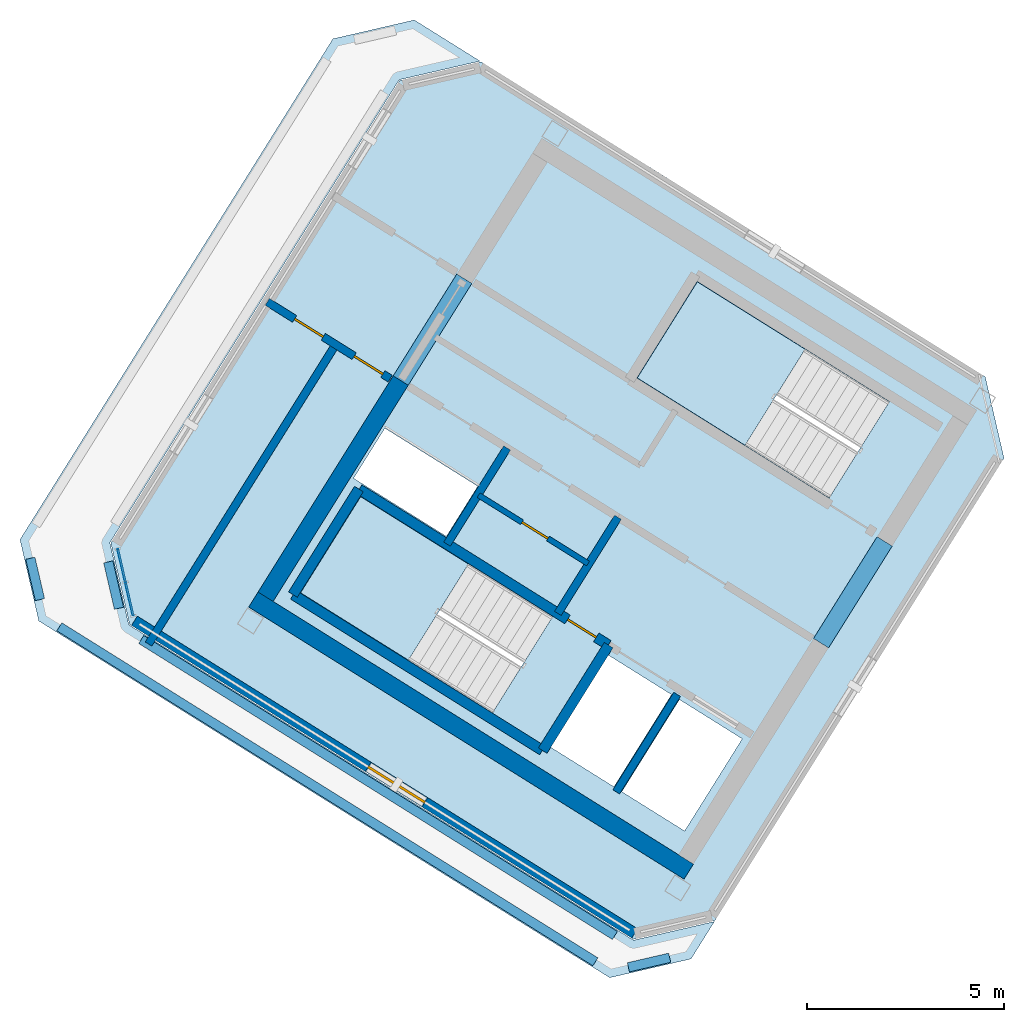
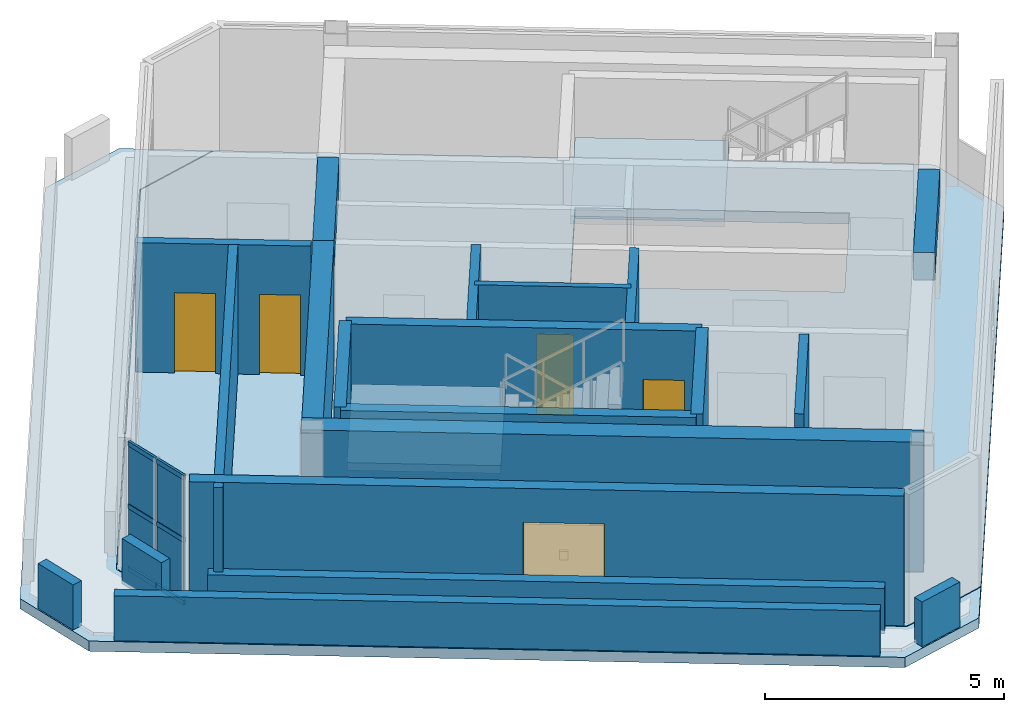
# One storey, part 3 of 6: 18 walls, 6 members, 4 doors, 4 plates, 4 slabs, 2 beams, 1 window, 5 openings, 3 elements without a shape of their own.
"""IFC4 building model written with IfcOpenShell, lengths in metres."""

from ifc_helpers import new_model, si_unit, direction, frame, frame_2d, origin, origin_2d, place, context, subcontext, project, spatial, polyline, rectangle, hollow_rectangle, outline, extrude, source, transform, mapped, material, layer, layer_set, material_profile, profile_set, type_object, element, fill, aggregate, save


model = new_model("IFC4")

# Units and contexts
model_context = context("Model", 3, precision=1e-05, world=origin(), true_north=direction((0.0, 1.0)))
body_context = subcontext(model_context, "Body", "Model", "MODEL_VIEW")
ifc_project = project(units=[si_unit("LENGTHUNIT", "METRE"), si_unit("AREAUNIT", "SQUARE_METRE"), si_unit("VOLUMEUNIT", "CUBIC_METRE"), si_unit("PLANEANGLEUNIT", "RADIAN"), si_unit("MASSUNIT", "GRAM", prefix="KILO")], contexts=[model_context])

# Site, building, storey
site_placement = place(None, origin())
site = spatial("IfcSite", under=ifc_project, at=site_placement, CompositionType="ELEMENT")
building_placement = place(site_placement, origin())
building = spatial("IfcBuilding", under=site, at=building_placement, Name="Tlacorven Tower", CompositionType="ELEMENT")
storey_placement = place(building_placement, frame((0.0, 0.0, 313.199951171875)))
storey = spatial("IfcBuildingStorey", under=building, at=storey_placement, Name="L80", CompositionType="ELEMENT", Elevation=313.199951171875)

# Beams
ifc_material_1 = material(Name="Concrete C60/75", Category="concrete")
ifc_material_profile_1 = material_profile(ifc_material_1, rectangle(XDim=0.449951171875, YDim=0.699951171875, at=origin_2d()), Name="RC 450X700")
ifc_profile_set_1 = profile_set([ifc_material_profile_1], Name="Concrete C60/75")
beam_type = type_object("IfcBeamType", Name="BM-LNT-700", PredefinedType="LINTEL", material=ifc_profile_set_1)
shared_shape_1 = source(origin(), body_context, "Body", "SweptSolid", [
    extrude(rectangle(XDim=0.449951171875, YDim=0.699951171875, at=origin_2d()), origin(), (0.0, 0.0, 1.0), 3.050048828125),
])
beam_1_placement = place(storey_placement, frame((38.2998046875, 20.890625, 2.969970703125), z_axis=(-0.529984549635, -0.848007297815, 0.0), x_axis=(0.848007297815, -0.529984549635, 0.0)))
element("IfcBeam", 1, at=beam_1_placement, inside=storey, type_object=beam_type, Name="L80 W core coupling lintel beam E1", PredefinedType="LINTEL", context=body_context, shape_type="MappedRepresentation", body=[
    mapped(shared_shape_1, transform((0.0, 0.0, 0.0), scale=1.0)),
])
shared_shape_2 = source(origin(), body_context, "Body", "SweptSolid", [
    extrude(rectangle(XDim=0.449951171875, YDim=0.699951171875, at=origin_2d()), origin(), (0.0, 0.0, 1.0), 3.0498046875),
])
beam_2_placement = place(storey_placement, frame((27.622802734375, 27.562255859375, 2.969970703125), z_axis=(-0.529926983584, -0.848043272522, 0.0), x_axis=(0.848043272522, -0.529926983584, 0.0)))
element("IfcBeam", 2, at=beam_2_placement, inside=storey, type_object=beam_type, Name="L80 W core coupling lintel beam E2", PredefinedType="LINTEL", context=body_context, shape_type="MappedRepresentation", body=[
    mapped(shared_shape_2, transform((0.0, 0.0, 0.0), scale=1.0)),
])

# Curtain wall, members
ifc_material_2 = material(Name="Dark solar low-E double glazing in aluminium frame", Category="aluminium")
curtain_wall_type = type_object("IfcCurtainWallType", Name="CW-CRN-LANTERN", PredefinedType="USERDEFINED", material=ifc_material_2)
curtain_wall_placement = place(storey_placement, origin())
curtain_wall = element("IfcCurtainWall", 3, at=curtain_wall_placement, inside=storey, type_object=curtain_wall_type, Name="L80 CW-CRN-LANTERN Curtain Wall 365", ObjectType="UNITISED CURTAIN WALL", PredefinedType="USERDEFINED")
ifc_material_3 = material(Name="Aluminium 6063-T6 anodised", Category="aluminium")
ifc_material_profile_2 = material_profile(ifc_material_3, hollow_rectangle(XDim=0.054931640625, YDim=0.1201171875, WallThickness=0.00341796875, at=origin_2d()), Name="ALU TRANSOM 55X120")
ifc_profile_set_2 = profile_set([ifc_material_profile_2], Name="Aluminium 6063-T6 anodised")
member_type = type_object("IfcMemberType", Name="CWT-03", PredefinedType="USERDEFINED", material=ifc_profile_set_2)
shared_shape_3 = source(origin(), body_context, "Body", "SweptSolid", [
    extrude(hollow_rectangle(XDim=0.054931640625, YDim=0.1201171875, WallThickness=0.00341796875, at=origin_2d()), origin(), (0.0, 0.0, 1.0), 0.84423828125),
])
member_1_placement = place(storey_placement, frame((19.21044921875, 19.01220703125, 0.06005859375), z_axis=(-0.225007359962, 0.974357063896, 0.0), x_axis=(-0.974357063896, -0.225007359962, 0.0)))
member_1 = element("IfcMember", 4, at=member_1_placement, type_object=member_type, Name="CW-L80-365 Transom 1", ObjectType="TRANSOM", PredefinedType="USERDEFINED", context=body_context, shape_type="MappedRepresentation", body=[
    mapped(shared_shape_3, transform((0.0, 0.0, 0.0), scale=1.0)),
])
member_2_placement = place(storey_placement, frame((19.21044921875, 19.01220703125, 1.66015625), z_axis=(-0.225007359962, 0.974357063896, 0.0), x_axis=(-0.974357063896, -0.225007359962, 0.0)))
member_2 = element("IfcMember", 5, at=member_2_placement, type_object=member_type, Name="CW-L80-365 Transom 2", ObjectType="TRANSOM", PredefinedType="USERDEFINED", context=body_context, shape_type="MappedRepresentation", body=[
    mapped(shared_shape_3, transform((0.0, 0.0, 0.0), scale=1.0)),
])
member_3_placement = place(storey_placement, frame((19.21044921875, 19.01220703125, 3.260009765625), z_axis=(-0.225007359962, 0.974357063896, 0.0), x_axis=(-0.974357063896, -0.225007359962, 0.0)))
member_3 = element("IfcMember", 6, at=member_3_placement, type_object=member_type, Name="CW-L80-365 Transom 3", ObjectType="TRANSOM", PredefinedType="USERDEFINED", context=body_context, shape_type="MappedRepresentation", body=[
    mapped(shared_shape_3, transform((0.0, 0.0, 0.0), scale=1.0)),
])
member_4_placement = place(storey_placement, frame((19.013671875, 19.86474609375, 0.06005859375), z_axis=(-0.225007359962, 0.974357063896, 0.0), x_axis=(-0.974357063896, -0.225007359962, 0.0)))
member_4 = element("IfcMember", 7, at=member_4_placement, type_object=member_type, Name="CW-L80-365 Transom 4", ObjectType="TRANSOM", PredefinedType="USERDEFINED", context=body_context, shape_type="MappedRepresentation", body=[
    mapped(shared_shape_3, transform((0.0, 0.0, 0.0), scale=1.0)),
])
member_5_placement = place(storey_placement, frame((19.013671875, 19.86474609375, 1.66015625), z_axis=(-0.225007359962, 0.974357063896, 0.0), x_axis=(-0.974357063896, -0.225007359962, 0.0)))
member_5 = element("IfcMember", 8, at=member_5_placement, type_object=member_type, Name="CW-L80-365 Transom 5", ObjectType="TRANSOM", PredefinedType="USERDEFINED", context=body_context, shape_type="MappedRepresentation", body=[
    mapped(shared_shape_3, transform((0.0, 0.0, 0.0), scale=1.0)),
])
member_6_placement = place(storey_placement, frame((19.013671875, 19.86474609375, 3.260009765625), z_axis=(-0.225007359962, 0.974357063896, 0.0), x_axis=(-0.974357063896, -0.225007359962, 0.0)))
member_6 = element("IfcMember", 9, at=member_6_placement, type_object=member_type, Name="CW-L80-365 Transom 6", ObjectType="TRANSOM", PredefinedType="USERDEFINED", context=body_context, shape_type="MappedRepresentation", body=[
    mapped(shared_shape_3, transform((0.0, 0.0, 0.0), scale=1.0)),
])

# Stair, slab
ifc_material_4 = material(Name="Concrete C40/50", Category="concrete")
stair_type = type_object("IfcStairType", Name="ST-CORE-DLG", PredefinedType="HALF_TURN_STAIR", material=ifc_material_4)
stair_1_placement = place(storey_placement, origin())
stair_1 = element("IfcStair", 10, at=stair_1_placement, inside=storey, type_object=stair_type, Name="L80 Protected Exit Stair West 1", PredefinedType="HALF_TURN_STAIR")
ifc_layer_1 = layer(ifc_material_4, 0.199951171875)
ifc_layer_set_1 = layer_set([ifc_layer_1], Name="Concrete C40/50")
slab_type_1 = type_object("IfcSlabType", Name="SL-LND-200", PredefinedType="LANDING", material=ifc_layer_set_1)
slab_1_placement = place(storey_placement, frame((0.0, 0.0, 1.60009765625)))
slab_1 = element("IfcSlab", 11, at=slab_1_placement, type_object=slab_type_1, Name="ST-W1 landing 1", PredefinedType="LANDING", context=body_context, shape_type="SweptSolid", body=[
    extrude(outline(polyline([(27.728515625, 20.315185546875), (24.9892578125, 22.02685546875), (23.463134765625, 19.58447265625), (26.2021484375, 17.872802734375), (27.728515625, 20.315185546875)])), origin(), (0.0, 0.0, 1.0), 0.199951171875),
])
aggregate(stair_1, [slab_1])

stair_2_placement = place(storey_placement, origin())
stair_2 = element("IfcStair", 12, at=stair_2_placement, inside=storey, type_object=stair_type, Name="L80 Protected Exit Stair West 2", PredefinedType="HALF_TURN_STAIR")
slab_2_placement = place(storey_placement, frame((0.0, 0.0, 1.60009765625)))
slab_2 = element("IfcSlab", 13, at=slab_2_placement, type_object=slab_type_1, Name="ST-W2 landing 1", PredefinedType="LANDING", context=body_context, shape_type="SweptSolid", body=[
    extrude(outline(polyline([(36.280029296875, 25.772705078125), (33.540771484375, 27.484375), (32.0146484375, 25.0419921875), (34.75390625, 23.33056640625), (36.280029296875, 25.772705078125)])), origin(), (0.0, 0.0, 1.0), 0.199951171875),
])
aggregate(stair_2, [slab_2])

# Slabs
ifc_layer_2 = layer(ifc_material_4, 0.260009765625)
ifc_layer_set_2 = layer_set([ifc_layer_2], Name="Concrete C40/50")
slab_type_2 = type_object("IfcSlabType", Name="SL-ROF-260", PredefinedType="ROOF", material=ifc_layer_set_2)
slab_3_placement = place(storey_placement, frame((0.0, 0.0, -0.260009765625)))
element("IfcSlab", 14, at=slab_3_placement, inside=storey, type_object=slab_type_2, Name="L80 Stepped Crown Terrace Roof Cap 1", PredefinedType="ROOF", context=body_context, shape_type="SweptSolid", body=[
    extrude(outline(polyline([(33.38232421875, 10.284912109375), (31.3154296875, 9.8076171875), (16.813720703125, 18.869384765625), (16.336669921875, 20.936279296875), (24.285400390625, 33.656982421875), (26.352294921875, 34.13427734375), (28.0244140625, 33.08935546875), (25.97705078125, 32.61669921875), (25.97509765625, 32.6162109375), (25.97314453125, 32.615478515625), (25.971435546875, 32.614501953125), (25.9697265625, 32.613525390625), (25.96826171875, 32.6123046875), (25.966796875, 32.61083984375), (25.965576171875, 32.609375), (25.964599609375, 32.607666015625), (18.625, 20.8623046875), (18.6240234375, 20.860595703125), (18.623291015625, 20.85888671875), (18.622802734375, 20.85693359375), (18.622314453125, 20.85498046875), (18.6220703125, 20.85302734375), (18.6220703125, 20.85107421875), (18.622314453125, 20.84912109375), (18.62255859375, 20.84716796875), (19.099853515625, 18.7802734375), (19.100341796875, 18.7783203125), (19.10107421875, 18.776611328125), (19.101806640625, 18.77490234375), (19.10302734375, 18.773193359375), (19.104248046875, 18.771728515625), (19.10546875, 18.770263671875), (19.10693359375, 18.76904296875), (19.108642578125, 18.767822265625), (31.9140625, 10.76611328125), (31.916015625, 10.76513671875), (31.917724609375, 10.76416015625), (31.919677734375, 10.763671875), (31.92138671875, 10.76318359375), (31.92333984375, 10.762939453125), (31.92529296875, 10.762939453125), (31.92724609375, 10.76318359375), (31.92919921875, 10.763427734375), (33.976806640625, 11.236083984375), (33.38232421875, 10.284912109375)])), origin(), (0.0, 0.0, 1.0), 0.260009765625),
])
ifc_material_5 = material(Name="Concrete C50/60", Category="concrete")
ifc_layer_3 = layer(ifc_material_5, 0.280029296875)
ifc_layer_set_3 = layer_set([ifc_layer_3], Name="Concrete C50/60")
slab_type_3 = type_object("IfcSlabType", Name="SL-WND-280", PredefinedType="FLOOR", material=ifc_layer_set_3)
slab_4_placement = place(storey_placement, frame((0.0, 0.0, -0.280029296875)))
element("IfcSlab", 15, at=slab_4_placement, inside=storey, type_object=slab_type_3, Name="L80 Stepped Crown Tier 5 Floor Slab", PredefinedType="FLOOR", context=body_context, shape_type="SweptSolid", body=[
    extrude(outline(polyline([(40.85400390625, 25.072509765625), (28.04833984375, 33.074462890625), (25.9814453125, 32.59716796875), (18.64208984375, 20.851806640625), (19.119140625, 18.78466796875), (31.9248046875, 10.782958984375), (33.99169921875, 11.26025390625), (41.3310546875, 23.005615234375), (40.85400390625, 25.072509765625)]), holes=[polyline([(29.865478515625, 18.979736328125), (24.9892578125, 22.02685546875), (23.463134765625, 19.58447265625), (28.33935546875, 16.537353515625), (29.865478515625, 18.979736328125)]), polyline([(38.4169921875, 24.4375), (33.540771484375, 27.484375), (32.0146484375, 25.0419921875), (36.890869140625, 21.9951171875), (38.4169921875, 24.4375)]), polyline([(34.682373046875, 15.87548828125), (33.088134765625, 16.871826171875), (31.62548828125, 14.531005859375), (33.2197265625, 13.534912109375), (34.682373046875, 15.87548828125)]), polyline([(32.884521484375, 16.9990234375), (31.2392578125, 18.02685546875), (29.77685546875, 15.686279296875), (31.421875, 14.658203125), (32.884521484375, 16.9990234375)]), polyline([(27.96142578125, 22.2919921875), (25.603759765625, 23.76513671875), (24.80908203125, 22.4931640625), (27.16650390625, 21.02001953125), (27.96142578125, 22.2919921875)])]), origin(), (0.0, 0.0, 1.0), 0.280029296875),
])

# Plate
ifc_material_6 = material(Name="Crown dark solar fritted low-E glazing", Category="glass")
ifc_layer_4 = layer(ifc_material_6, 0.02392578125)
ifc_layer_set_4 = layer_set([ifc_layer_4], Name="Crown dark solar fritted low-E glazing")
plate_type = type_object("IfcPlateType", Name="CWP-04", PredefinedType="CURTAIN_PANEL", material=ifc_layer_set_4)
shared_shape_4 = source(origin(), body_context, "Body", "SweptSolid", [
    extrude(rectangle(XDim=0.838134765625, YDim=0.02392578125, at=origin_2d()), origin(), (0.0, 0.0, 1.0), 1.55810546875),
])
plate_1_placement = place(storey_placement, frame((19.115478515625, 19.42333984375, 0.051025390625), z_axis=(0.0, 0.0, 1.0), x_axis=(-0.22494970827, 0.97437037555, 0.0)))
plate_1 = element("IfcPlate", 16, at=plate_1_placement, type_object=plate_type, Name="CW-L80-365 Glazing Panel 1", PredefinedType="CURTAIN_PANEL", context=body_context, shape_type="MappedRepresentation", body=[
    mapped(shared_shape_4, transform((0.0, 0.0, 0.0), scale=1.0)),
])

plate_2_placement = place(storey_placement, frame((19.115478515625, 19.42333984375, 1.7109375), z_axis=(0.0, 0.0, 1.0), x_axis=(-0.22494970827, 0.97437037555, 0.0)))
plate_2 = element("IfcPlate", 17, at=plate_2_placement, type_object=plate_type, Name="CW-L80-365 Glazing Panel 2", PredefinedType="CURTAIN_PANEL", context=body_context, shape_type="MappedRepresentation", body=[
    mapped(shared_shape_4, transform((0.0, 0.0, 0.0), scale=1.0)),
])

plate_3_placement = place(storey_placement, frame((18.918701171875, 20.276123046875, 0.051025390625), z_axis=(0.0, 0.0, 1.0), x_axis=(-0.22494970827, 0.97437037555, 0.0)))
plate_3 = element("IfcPlate", 18, at=plate_3_placement, type_object=plate_type, Name="CW-L80-365 Glazing Panel 3", PredefinedType="CURTAIN_PANEL", context=body_context, shape_type="MappedRepresentation", body=[
    mapped(shared_shape_4, transform((0.0, 0.0, 0.0), scale=1.0)),
])

plate_4_placement = place(storey_placement, frame((18.918701171875, 20.276123046875, 1.7109375), z_axis=(0.0, 0.0, 1.0), x_axis=(-0.22494970827, 0.97437037555, 0.0)))
plate_4 = element("IfcPlate", 19, at=plate_4_placement, type_object=plate_type, Name="CW-L80-365 Glazing Panel 4", PredefinedType="CURTAIN_PANEL", context=body_context, shape_type="MappedRepresentation", body=[
    mapped(shared_shape_4, transform((0.0, 0.0, 0.0), scale=1.0)),
])

aggregate(curtain_wall, [member_1, member_2, member_3, plate_1, plate_2, member_4, member_5, member_6, plate_3, plate_4])

# Walls
ifc_layer_5 = layer(ifc_material_5, 0.449951171875)
ifc_layer_set_5 = layer_set([ifc_layer_5], Name="Concrete C50/60")
wall_type_1 = type_object("IfcWallType", Name="WL-COR-450", PredefinedType="SHEAR", material=ifc_layer_set_5)
wall_1_placement = place(storey_placement, frame((33.32373046875, 12.5029296875, 0.0), z_axis=(0.0, 0.0, 1.0), x_axis=(-0.848043529849, 0.529926571782, 0.0)))
element("IfcWall", 20, at=wall_1_placement, inside=storey, type_object=wall_type_1, Name="L80 W core shear wall S2", PredefinedType="SHEAR", context=body_context, shape_type="SweptSolid", body=[
    extrude(rectangle(XDim=13.039794921875, YDim=0.449951171875, at=frame_2d((6.52001953125, 0.0))), origin(), (0.0, 0.0, 1.0), 3.320068359375),
])
wall_2_placement = place(storey_placement, frame((26.006591796875, 24.975830078125, 0.0), z_axis=(0.0, 0.0, 1.0), x_axis=(-0.529931155655, -0.848040665456, 0.0)))
element("IfcWall", 21, at=wall_2_placement, inside=storey, type_object=wall_type_1, Name="L80 W core end wall E2.2", PredefinedType="SHEAR", context=body_context, shape_type="SweptSolid", body=[
    extrude(rectangle(XDim=6.47509765625, YDim=0.449951171875, at=frame_2d((3.237548828125, 0.0))), origin(), (0.0, 0.0, 1.0), 3.320068359375),
])

# Wall, opening, window
ifc_material_7 = material(Name="Precast concrete C45/55", Category="concrete")
ifc_layer_6 = layer(ifc_material_7, 0.280029296875)
ifc_layer_set_6 = layer_set([ifc_layer_6], Name="Precast concrete C45/55")
wall_type_2 = type_object("IfcWallType", Name="WL-EXT-280", PredefinedType="STANDARD", material=ifc_layer_set_6)
wall_3_placement = place(storey_placement, frame((31.94970703125, 10.932373046875, 0.0), z_axis=(0.0, 0.0, 1.0), x_axis=(-0.848042238523, 0.52992863829, 0.0)))
wall_3 = element("IfcWall", 22, at=wall_3_placement, inside=storey, type_object=wall_type_2, Name="L80 Masonry-Frame Recessed Facade Wall 3", PredefinedType="STANDARD", context=body_context, shape_type="SweptSolid", body=[
    extrude(rectangle(XDim=14.98388671875, YDim=0.280029296875, at=frame_2d((7.491943359375, 0.0))), origin(), (0.0, 0.0, 1.0), 3.320068359375),
])
opening_1_placement = place(wall_3_placement, frame((6.283447265625, 0.0, 0.85009765625)))
opening_1 = element("IfcOpeningElement", 23, at=opening_1_placement, cuts=wall_3, Name="Opening WN19", PredefinedType="OPENING", context=body_context, shape_type="SweptSolid", body=[
    extrude(rectangle(XDim=1.699951171875, YDim=1.60009765625, at=frame_2d((0.85009765625, 0.800048828125))), frame((0.0, 0.14990234375, 0.0), z_axis=(0.0, -1.0, 0.0), x_axis=(1.0, 0.0, 0.0)), (0.0, 0.0, 1.0), 0.300048828125),
])
ifc_material_8 = material(Name="Dark solar low-E double glazing in anodised aluminium frame", Category="aluminium")
window_type = type_object("IfcWindowType", Name="WN-CRN-1700X1800", PartitioningType="SINGLE_PANEL", PredefinedType="WINDOW", material=ifc_material_8)
shared_shape_5 = source(origin(), body_context, "Body", "SweptSolid", [
    extrude(rectangle(XDim=1.699951171875, YDim=1.60009765625, at=frame_2d((0.85009765625, 0.800048828125))), frame((0.0, 0.030029296875, 0.0), z_axis=(0.0, -1.0, 0.0), x_axis=(1.0, 0.0, 0.0)), (0.0, 0.0, 1.0), 0.06005859375),
])
window_placement = place(opening_1_placement, origin())
window = element("IfcWindow", 24, at=window_placement, inside=storey, type_object=window_type, Name="L80 Acoustic Plant Facade Window 3.1", OverallHeight=1.60009765625, OverallWidth=1.699951171875, PartitioningType="SINGLE_PANEL", PredefinedType="WINDOW", context=body_context, shape_type="MappedRepresentation", body=[
    mapped(shared_shape_5, transform((0.0, 0.0, 0.0), scale=1.0)),
])
fill(opening_1, window)

# Walls
ifc_layer_7 = layer(ifc_material_7, 0.239990234375)
ifc_layer_set_7 = layer_set([ifc_layer_7], Name="Precast concrete C45/55")
wall_type_3 = type_object("IfcWallType", Name="WL-PAR-240", PredefinedType="PARAPET", material=ifc_layer_set_7)
wall_4_placement = place(storey_placement, frame((32.83984375, 10.313720703125, 0.0), z_axis=(0.0, 0.0, 1.0), x_axis=(-0.974345337206, -0.225058134414, 0.0)))
element("IfcWall", 25, at=wall_4_placement, inside=storey, type_object=wall_type_3, Name="L80 Stepped Crown Terrace Parapet 1 1", PredefinedType="PARAPET", context=body_context, shape_type="SweptSolid", body=[
    extrude(rectangle(XDim=1.0771484375, YDim=0.239990234375, at=frame_2d((0.53857421875, 0.0))), origin(), (0.0, 0.0, 1.0), 1.150146484375),
])
wall_5_placement = place(storey_placement, frame((30.9521484375, 10.211669921875, 0.0), z_axis=(0.0, 0.0, 1.0), x_axis=(-0.848049555042, 0.529916929521, 0.0)))
element("IfcWall", 26, at=wall_5_placement, inside=storey, type_object=wall_type_3, Name="L80 Stepped Crown Terrace Parapet 1 2", PredefinedType="PARAPET", context=body_context, shape_type="SweptSolid", body=[
    extrude(rectangle(XDim=16.055908203125, YDim=0.239990234375, at=frame_2d((8.02783203125, 0.0))), origin(), (0.0, 0.0, 1.0), 1.150146484375),
])
wall_6_placement = place(storey_placement, frame((16.842529296875, 19.411865234375, 0.0), z_axis=(0.0, 0.0, 1.0), x_axis=(-0.225107844721, 0.974333853587, 0.0)))
element("IfcWall", 27, at=wall_6_placement, inside=storey, type_object=wall_type_3, Name="L80 Stepped Crown Terrace Parapet 1 3", PredefinedType="PARAPET", context=body_context, shape_type="SweptSolid", body=[
    extrude(rectangle(XDim=1.076904296875, YDim=0.239990234375, at=frame_2d((0.53857421875, 0.0))), origin(), (0.0, 0.0, 1.0), 1.150146484375),
])
wall_7_placement = place(storey_placement, frame((18.5791015625, 20.369140625, 0.0), z_axis=(0.0, 0.0, 1.0), x_axis=(0.224815250156, -0.974401407684, 0.0)))
element("IfcWall", 28, at=wall_7_placement, inside=storey, type_object=wall_type_3, Name="L80 Stepped Crown Terrace Parapet 1 7", PredefinedType="PARAPET", context=body_context, shape_type="SweptSolid", body=[
    extrude(rectangle(XDim=1.208740234375, YDim=0.239990234375, at=frame_2d((0.6044921875, 0.0))), origin(), (0.0, 0.0, 1.0), 1.150146484375),
])
wall_8_placement = place(storey_placement, frame((19.416259765625, 18.398681640625, 0.0), z_axis=(0.0, 0.0, 1.0), x_axis=(0.84804953868, -0.529916955705, 0.0)))
element("IfcWall", 29, at=wall_8_placement, inside=storey, type_object=wall_type_3, Name="L80 Stepped Crown Terrace Parapet 1 8", PredefinedType="PARAPET", context=body_context, shape_type="SweptSolid", body=[
    extrude(rectangle(XDim=14.187255859375, YDim=0.239990234375, at=frame_2d((7.09375, 0.0))), origin(), (0.0, 0.0, 1.0), 1.150146484375),
])

# Wall, opening, door
ifc_material_9 = material(Name="Moisture-resistant gypsum plumbing wall", Category="gypsum")
ifc_layer_8 = layer(ifc_material_9, 0.139892578125)
ifc_layer_set_8 = layer_set([ifc_layer_8], Name="Moisture-resistant gypsum plumbing wall")
wall_type_4 = type_object("IfcWallType", Name="WL-PLM-140", PredefinedType="PLUMBINGWALL", material=ifc_layer_set_8)
wall_9_placement = place(storey_placement, frame((30.766357421875, 20.3271484375, 0.0), z_axis=(0.0, 0.0, 1.0), x_axis=(-0.848052663127, 0.529911955482, 0.0)))
wall_9 = element("IfcWall", 30, at=wall_9_placement, inside=storey, type_object=wall_type_4, Name="L80 partition 17", PredefinedType="PLUMBINGWALL", context=body_context, shape_type="SweptSolid", body=[
    extrude(rectangle(XDim=3.27978515625, YDim=0.139892578125, at=frame_2d((1.639892578125, 0.0))), origin(), (0.0, 0.0, 1.0), 3.31005859375),
])
opening_2_placement = place(wall_9_placement, frame((1.199951171875, 0.0, 0.0)))
opening_2 = element("IfcOpeningElement", 31, at=opening_2_placement, cuts=wall_9, Name="Opening D22", PredefinedType="OPENING", context=body_context, shape_type="SweptSolid", body=[
    extrude(rectangle(XDim=0.780029296875, YDim=2.050048828125, at=frame_2d((0.39013671875, 1.02490234375))), frame((0.0, 0.080078125, 0.0), z_axis=(0.0, -1.0, 0.0), x_axis=(1.0, 0.0, 0.0)), (0.0, 0.0, 1.0), 0.159912109375),
])
ifc_material_10 = material(Name="Powder-coated aluminium and timber door", Category="wood")
door_type_1 = type_object("IfcDoorType", Name="DR-INT-WET-0780", OperationType="NOTDEFINED", PredefinedType="DOOR", material=ifc_material_10)
shared_shape_6 = source(origin(), body_context, "Body", "SweptSolid", [
    extrude(rectangle(XDim=0.780029296875, YDim=2.050048828125, at=frame_2d((0.39013671875, 1.02490234375))), frame((0.0, 0.02490234375, 0.0), z_axis=(0.0, -1.0, 0.0), x_axis=(1.0, 0.0, 0.0)), (0.0, 0.0, 1.0), 0.050048828125),
])
door_1_placement = place(opening_2_placement, origin())
door_1 = element("IfcDoor", 32, at=door_1_placement, inside=storey, type_object=door_type_1, Name="L80 door 009", OperationType="SINGLE_SWING_RIGHT", OverallHeight=2.050048828125, OverallWidth=0.780029296875, PredefinedType="DOOR", context=body_context, shape_type="MappedRepresentation", body=[
    mapped(shared_shape_6, transform((0.0, 0.0, 0.0), scale=1.0)),
])
fill(opening_2, door_1)

# Walls
ifc_layer_9 = layer(ifc_material_4, 0.199951171875)
ifc_layer_set_9 = layer_set([ifc_layer_9], Name="Concrete C40/50")
wall_type_5 = type_object("IfcWallType", Name="WL-SHF-200", PredefinedType="STANDARD", material=ifc_layer_set_9)
wall_10_placement = place(storey_placement, frame((33.02880859375, 17.003173828125, 0.0), z_axis=(0.0, 0.0, 1.0), x_axis=(-0.529916267533, -0.848049968695, 0.0)))
element("IfcWall", 33, at=wall_10_placement, inside=storey, type_object=wall_type_5, Name="L80 partition 13", PredefinedType="STANDARD", context=body_context, shape_type="SweptSolid", body=[
    extrude(rectangle(XDim=2.919921875, YDim=0.199951171875, at=frame_2d((1.4599609375, 0.0))), origin(), (0.0, 0.0, 1.0), 3.31005859375),
])
for number, where, z_axis, x_axis, name in (
    (34, (31.525146484375, 21.503662109375, 0.0), (0.0, 0.0, 1.0), (-0.529907497854, -0.848055448493, 0.0), "L80 partition 14"),
    (35, (28.709716796875, 23.26318359375, 0.0), (0.0, 0.0, 1.0), (-0.529907497854, -0.848055448493, 0.0), "L80 partition 15"),
):
    element("IfcWall", number, at=place(storey_placement, frame(where, z_axis=z_axis, x_axis=x_axis)), inside=storey, type_object=wall_type_5, Name=name, PredefinedType="STANDARD", context=body_context, shape_type="SweptSolid", body=[
        extrude(rectangle(XDim=2.8798828125, YDim=0.199951171875, at=frame_2d((1.43994140625, 0.0))), origin(), (0.0, 0.0, 1.0), 3.31005859375),
    ])

# Wall, openings, doors
wall_11_placement = place(storey_placement, frame((25.73974609375, 25.024658203125, 0.0), z_axis=(0.0, 0.0, 1.0), x_axis=(-0.848057965138, 0.529903470233, 0.0)))
wall_11 = element("IfcWall", 36, at=wall_11_placement, inside=storey, type_object=wall_type_5, Name="L80 partition 19", PredefinedType="STANDARD", context=body_context, shape_type="SweptSolid", body=[
    extrude(rectangle(XDim=3.677978515625, YDim=0.199951171875, at=frame_2d((1.8388671875, 0.0))), origin(), (0.0, 0.0, 1.0), 3.31005859375),
])
opening_3_placement = place(wall_11_placement, frame((0.218017578125, 0.0, 0.0)))
opening_3 = element("IfcOpeningElement", 37, at=opening_3_placement, cuts=wall_11, Name="Opening D19", PredefinedType="OPENING", context=body_context, shape_type="SweptSolid", body=[
    extrude(rectangle(XDim=0.860107421875, YDim=2.050048828125, at=frame_2d((0.43017578125, 1.02490234375))), frame((0.0, 0.10986328125, 0.0), z_axis=(0.0, -1.0, 0.0), x_axis=(1.0, 0.0, 0.0)), (0.0, 0.0, 1.0), 0.219970703125),
])
opening_4_placement = place(wall_11_placement, frame((2.0029296875, 0.0, 0.0)))
opening_4 = element("IfcOpeningElement", 38, at=opening_4_placement, cuts=wall_11, Name="Opening D19", PredefinedType="OPENING", context=body_context, shape_type="SweptSolid", body=[
    extrude(rectangle(XDim=0.860107421875, YDim=2.050048828125, at=frame_2d((0.43017578125, 1.02490234375))), frame((0.0, 0.10986328125, 0.0), z_axis=(0.0, -1.0, 0.0), x_axis=(1.0, 0.0, 0.0)), (0.0, 0.0, 1.0), 0.219970703125),
])
ifc_material_11 = material(Name="Fire-rated steel door assembly", Category="steel")
door_type_2 = type_object("IfcDoorType", Name="DR-RSR-FD60-0860", OperationType="NOTDEFINED", PredefinedType="DOOR", material=ifc_material_11)
shared_shape_7 = source(origin(), body_context, "Body", "SweptSolid", [
    extrude(rectangle(XDim=0.860107421875, YDim=2.050048828125, at=frame_2d((0.43017578125, 1.02490234375))), frame((0.0, 0.02490234375, 0.0), z_axis=(0.0, -1.0, 0.0), x_axis=(1.0, 0.0, 0.0)), (0.0, 0.0, 1.0), 0.050048828125),
])
door_2_placement = place(opening_3_placement, origin())
door_2 = element("IfcDoor", 39, at=door_2_placement, inside=storey, type_object=door_type_2, Name="L80 door 011", OperationType="SINGLE_SWING_LEFT", OverallHeight=2.050048828125, OverallWidth=0.860107421875, PredefinedType="DOOR", context=body_context, shape_type="MappedRepresentation", body=[
    mapped(shared_shape_7, transform((0.0, 0.0, 0.0), scale=1.0)),
])
fill(opening_3, door_2)
door_3_placement = place(opening_4_placement, origin())
door_3 = element("IfcDoor", 40, at=door_3_placement, inside=storey, type_object=door_type_2, Name="L80 door 012", OperationType="SINGLE_SWING_RIGHT", OverallHeight=2.050048828125, OverallWidth=0.860107421875, PredefinedType="DOOR", context=body_context, shape_type="MappedRepresentation", body=[
    mapped(shared_shape_7, transform((0.0, 0.0, 0.0), scale=1.0)),
])
fill(opening_4, door_3)

# Walls
wall_12_placement = place(storey_placement, frame((24.35498046875, 25.889892578125, 0.0), z_axis=(0.0, 0.0, 1.0), x_axis=(-0.529925542399, -0.848044173091, 0.0)))
element("IfcWall", 41, at=wall_12_placement, inside=storey, type_object=wall_type_5, Name="L80 partition 20", PredefinedType="STANDARD", context=body_context, shape_type="SweptSolid", body=[
    extrude(rectangle(XDim=8.969970703125, YDim=0.199951171875, at=frame_2d((4.48486328125, 0.0))), origin(), (0.0, 0.0, 1.0), 3.31005859375),
])
ifc_layer_10 = layer(ifc_material_5, 0.260009765625)
ifc_layer_set_10 = layer_set([ifc_layer_10], Name="Concrete C50/60")
wall_type_6 = type_object("IfcWallType", Name="WL-STW-260", PredefinedType="SHEAR", material=ifc_layer_set_10)
wall_13_placement = place(storey_placement, frame((29.60498046875, 15.581298828125, 0.0), z_axis=(0.0, 0.0, 1.0), x_axis=(-0.848036911448, 0.529937163087, 0.0)))
element("IfcWall", 42, at=wall_13_placement, inside=storey, type_object=wall_type_6, Name="L80 Stair W1 Far Shear Wall", PredefinedType="SHEAR", context=body_context, shape_type="SweptSolid", body=[
    extrude(rectangle(XDim=7.4599609375, YDim=0.260009765625, at=frame_2d((3.72998046875, 0.0))), origin(), (0.0, 0.0, 1.0), 3.320068359375),
])

# Wall, opening, door
wall_14_placement = place(storey_placement, frame((31.279541015625, 18.26123046875, 0.0), z_axis=(0.0, 0.0, 1.0), x_axis=(-0.848051618787, 0.529913626805, 0.0)))
wall_14 = element("IfcWall", 43, at=wall_14_placement, inside=storey, type_object=wall_type_6, Name="L80 Stair W1 Lobby Shear Wall", PredefinedType="SHEAR", context=body_context, shape_type="SweptSolid", body=[
    extrude(rectangle(XDim=7.4599609375, YDim=0.260009765625, at=frame_2d((3.72998046875, 0.0))), origin(), (0.0, 0.0, 1.0), 3.320068359375),
])
opening_5_placement = place(wall_14_placement, frame((0.360107421875, 0.0, 0.0)))
opening_5 = element("IfcOpeningElement", 44, at=opening_5_placement, cuts=wall_14, Name="Opening D19", PredefinedType="OPENING", context=body_context, shape_type="SweptSolid", body=[
    extrude(rectangle(XDim=0.860107421875, YDim=2.050048828125, at=frame_2d((0.43017578125, 1.02490234375))), frame((0.0, 0.14013671875, 0.0), z_axis=(0.0, -1.0, 0.0), x_axis=(1.0, 0.0, 0.0)), (0.0, 0.0, 1.0), 0.280029296875),
])
door_4_placement = place(opening_5_placement, frame((0.860107421875, 0.0, 0.0), z_axis=(0.0, 0.0, 1.0), x_axis=(-1.0, 0.0, 0.0)))
door_4 = element("IfcDoor", 45, at=door_4_placement, inside=storey, type_object=door_type_2, Name="L80 Exit Stair W1 Fire Door", OperationType="SINGLE_SWING_LEFT", OverallHeight=2.050048828125, OverallWidth=0.860107421875, PredefinedType="DOOR", context=body_context, shape_type="MappedRepresentation", body=[
    mapped(shared_shape_7, transform((0.0, 0.0, 0.0), scale=1.0)),
])
fill(opening_5, door_4)

# Walls
wall_15_placement = place(storey_placement, frame((31.2880859375, 18.255859375, 0.0), z_axis=(0.0, 0.0, 1.0), x_axis=(-0.529943379326, -0.848033026897, 0.0)))
element("IfcWall", 46, at=wall_15_placement, inside=storey, type_object=wall_type_6, Name="L80 Stair W1 West Shear Wall", PredefinedType="SHEAR", context=body_context, shape_type="SweptSolid", body=[
    extrude(rectangle(XDim=3.159912109375, YDim=0.260009765625, at=frame_2d((1.580078125, 0.0))), origin(), (0.0, 0.0, 1.0), 3.320068359375),
])
wall_16_placement = place(storey_placement, frame((24.944580078125, 22.2197265625, 0.0), z_axis=(0.0, 0.0, 1.0), x_axis=(-0.529908658664, -0.84805472316, 0.0)))
element("IfcWall", 47, at=wall_16_placement, inside=storey, type_object=wall_type_6, Name="L80 Stair W1 East Shear Wall", PredefinedType="SHEAR", context=body_context, shape_type="SweptSolid", body=[
    extrude(rectangle(XDim=3.16015625, YDim=0.260009765625, at=frame_2d((1.580078125, 0.0))), origin(), (0.0, 0.0, 1.0), 3.320068359375),
])

save(model, "model.ifc")
